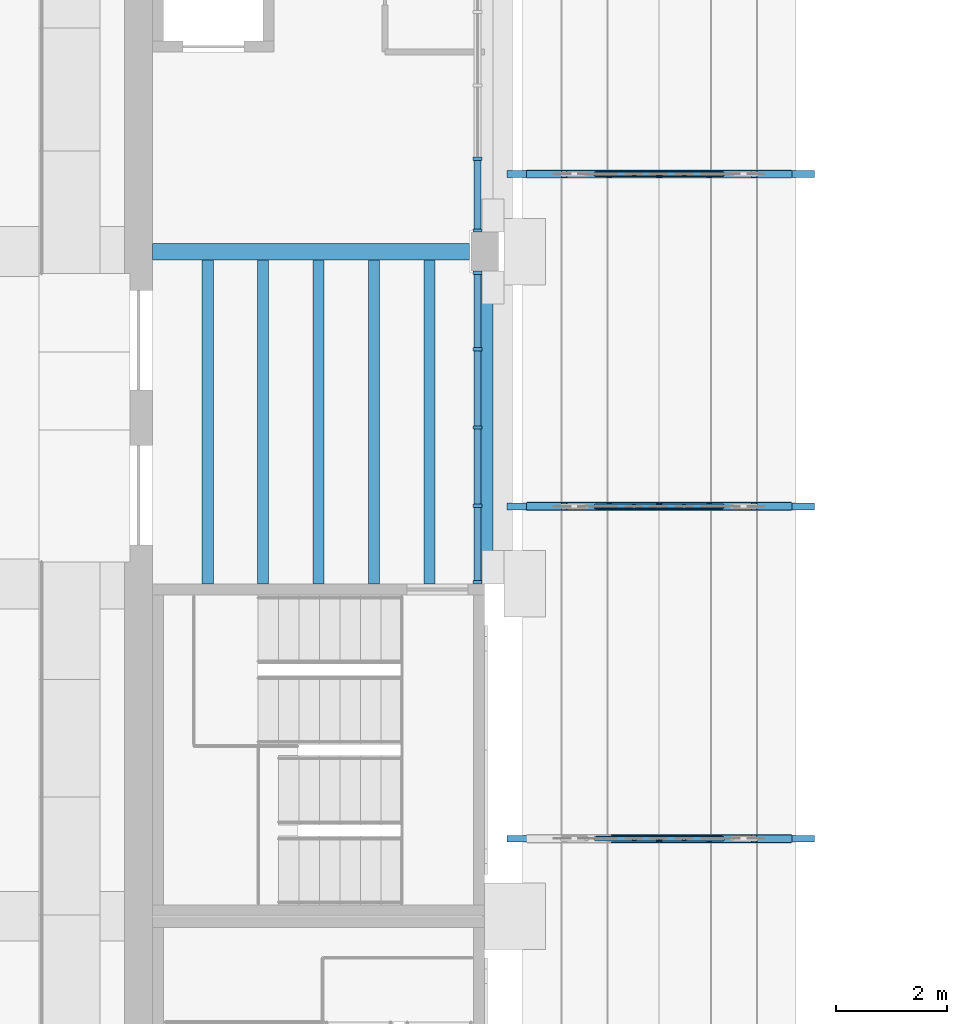
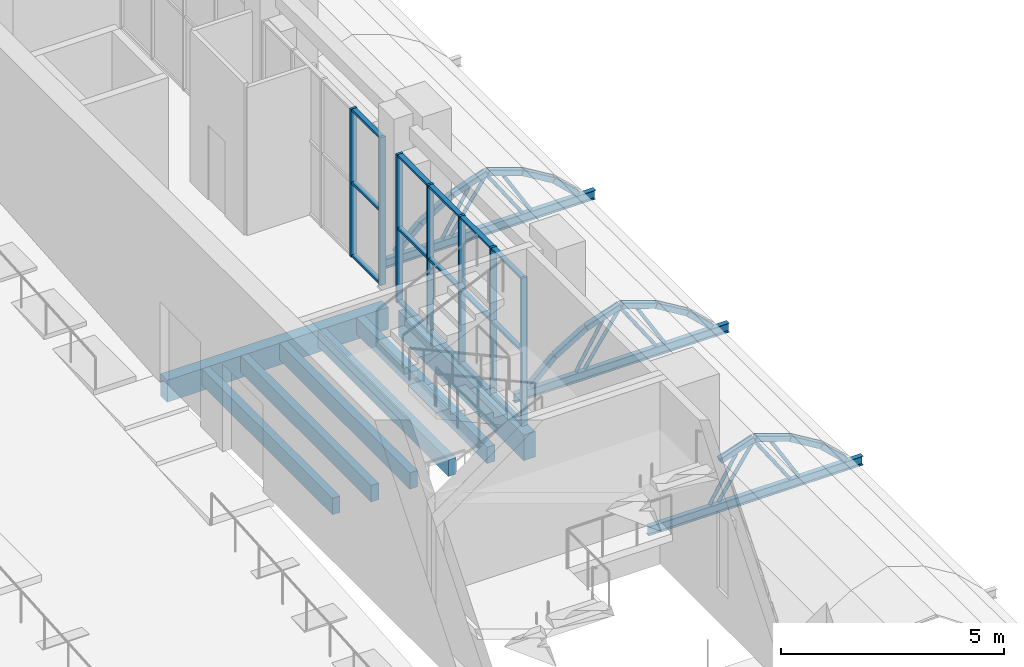
# One storey, part 21 of 80: 34 members, 26 beams, 2 elements without a shape of their own.
"""IFC4 building model written with IfcOpenShell, lengths in metres."""

from ifc_helpers import new_model, si_unit, direction, frame, origin, origin_2d, place, context, subcontext, project, spatial, rectangle, hollow_rectangle, hollow_circle, i_section, extrude, material, material_profile, profile_set, type_object, element, aggregate, save


model = new_model("IFC4")

# Units and contexts
model_context = context("Model", 3, precision=1e-05, world=origin(), true_north=direction((0.0, 1.0)))
body_context = subcontext(model_context, "Body", "Model", "MODEL_VIEW")
ifc_project = project(units=[si_unit("LENGTHUNIT", "METRE"), si_unit("AREAUNIT", "SQUARE_METRE"), si_unit("VOLUMEUNIT", "CUBIC_METRE"), si_unit("PLANEANGLEUNIT", "RADIAN"), si_unit("MASSUNIT", "GRAM", prefix="KILO")], contexts=[model_context])

# Site, building, storey
site_placement = place(None, origin())
site = spatial("IfcSite", under=ifc_project, at=site_placement, CompositionType="ELEMENT")
building_placement = place(site_placement, origin())
building = spatial("IfcBuilding", under=site, at=building_placement, Name="Saffron Lane Theatres", CompositionType="ELEMENT")
storey_placement = place(building_placement, frame((0.0, 0.0, 7.0)))
storey = spatial("IfcBuildingStorey", under=building, at=storey_placement, Name="L01", CompositionType="ELEMENT", Elevation=7.0)

# Curtain wall, members
ifc_material_1 = material(Name="Aluminium", Category="aluminium")
curtain_wall_type_1 = type_object("IfcCurtainWallType", Name="EX-CURTAIN WALL 5300x4050x160", PredefinedType="NOTDEFINED", material=ifc_material_1)
curtain_wall_1_placement = place(storey_placement, origin())
curtain_wall_1 = element("IfcCurtainWall", 1, at=curtain_wall_1_placement, inside=storey, type_object=curtain_wall_type_1, Name="Curtain wall L01 11", PredefinedType="NOTDEFINED")
ifc_material_2 = material(Name="Aluminium", Category="aluminium")
ifc_material_profile_1 = material_profile(ifc_material_2, rectangle(XDim=0.06005859375, YDim=0.159912109375, at=origin_2d()))
ifc_profile_set_1 = profile_set([ifc_material_profile_1], Name="Aluminium")
member_type_1 = type_object("IfcMemberType", Name="EX-CW MULLION 60x160", PredefinedType="MULLION", material=ifc_profile_set_1)
member_1_placement = place(storey_placement, frame((53.8701171875, 79.675048828125, 0.0), z_axis=(0.0, 0.0, 1.0), x_axis=(0.0, -1.0, 0.0)))
member_1 = element("IfcMember", 2, at=member_1_placement, type_object=member_type_1, Name="CW-01-11 mullion 4", PredefinedType="MULLION", context=body_context, shape_type="SweptSolid", body=[
    extrude(rectangle(XDim=0.06005859375, YDim=0.159912109375, at=origin_2d()), origin(), (0.0, 0.0, 1.0), 4.050048828125),
])
member_2_placement = place(storey_placement, frame((53.8701171875, 78.380126953125, 0.0), z_axis=(0.0, 0.0, 1.0), x_axis=(0.0, -1.0, 0.0)))
member_2 = element("IfcMember", 3, at=member_2_placement, type_object=member_type_1, Name="CW-01-11 mullion 5", PredefinedType="MULLION", context=body_context, shape_type="SweptSolid", body=[
    extrude(rectangle(XDim=0.06005859375, YDim=0.159912109375, at=origin_2d()), origin(), (0.0, 0.0, 1.0), 4.050048828125),
])

ifc_material_3 = material(Name="Aluminium", Category="aluminium")
curtain_wall_type_2 = type_object("IfcCurtainWallType", Name="EX-CURTAIN WALL 5650x4050x160", PredefinedType="NOTDEFINED", material=ifc_material_3)
curtain_wall_2_placement = place(storey_placement, origin())
curtain_wall_2 = element("IfcCurtainWall", 4, at=curtain_wall_2_placement, inside=storey, type_object=curtain_wall_type_2, Name="Curtain wall L01 12", PredefinedType="NOTDEFINED")
member_3_placement = place(storey_placement, frame((53.8701171875, 77.619873046875, 0.0), z_axis=(0.0, 0.0, 1.0), x_axis=(0.0, -1.0, 0.0)))
member_3 = element("IfcMember", 5, at=member_3_placement, type_object=member_type_1, Name="CW-01-12 mullion 1", PredefinedType="MULLION", context=body_context, shape_type="SweptSolid", body=[
    extrude(rectangle(XDim=0.06005859375, YDim=0.159912109375, at=origin_2d()), origin(), (0.0, 0.0, 1.0), 4.050048828125),
])
member_4_placement = place(storey_placement, frame((53.8701171875, 76.237548828125, 0.0), z_axis=(0.0, 0.0, 1.0), x_axis=(0.0, -1.0, 0.0)))
member_4 = element("IfcMember", 6, at=member_4_placement, type_object=member_type_1, Name="CW-01-12 mullion 2", PredefinedType="MULLION", context=body_context, shape_type="SweptSolid", body=[
    extrude(rectangle(XDim=0.06005859375, YDim=0.159912109375, at=origin_2d()), origin(), (0.0, 0.0, 1.0), 4.050048828125),
])
member_5_placement = place(storey_placement, frame((53.8701171875, 74.824951171875, 0.0), z_axis=(0.0, 0.0, 1.0), x_axis=(0.0, -1.0, 0.0)))
member_5 = element("IfcMember", 7, at=member_5_placement, type_object=member_type_1, Name="CW-01-12 mullion 3", PredefinedType="MULLION", context=body_context, shape_type="SweptSolid", body=[
    extrude(rectangle(XDim=0.06005859375, YDim=0.159912109375, at=origin_2d()), origin(), (0.0, 0.0, 1.0), 4.050048828125),
])
member_6_placement = place(storey_placement, frame((53.8701171875, 73.41259765625, 0.0), z_axis=(0.0, 0.0, 1.0), x_axis=(0.0, -1.0, 0.0)))
member_6 = element("IfcMember", 8, at=member_6_placement, type_object=member_type_1, Name="CW-01-12 mullion 4", PredefinedType="MULLION", context=body_context, shape_type="SweptSolid", body=[
    extrude(rectangle(XDim=0.06005859375, YDim=0.159912109375, at=origin_2d()), origin(), (0.0, 0.0, 1.0), 4.050048828125),
])
member_7_placement = place(storey_placement, frame((53.8701171875, 72.030029296875, 0.0), z_axis=(0.0, 0.0, 1.0), x_axis=(0.0, -1.0, 0.0)))
member_7 = element("IfcMember", 9, at=member_7_placement, type_object=member_type_1, Name="CW-01-12 mullion 5", PredefinedType="MULLION", context=body_context, shape_type="SweptSolid", body=[
    extrude(rectangle(XDim=0.06005859375, YDim=0.159912109375, at=origin_2d()), origin(), (0.0, 0.0, 1.0), 4.050048828125),
])

# Member
ifc_material_4 = material(Name="Aluminium", Category="aluminium")
ifc_material_profile_2 = material_profile(ifc_material_4, rectangle(XDim=0.1201171875, YDim=0.06005859375, at=origin_2d()))
ifc_profile_set_2 = profile_set([ifc_material_profile_2], Name="Aluminium")
member_type_2 = type_object("IfcMemberType", Name="EX-CW TRANSOM 120x60", PredefinedType="USERDEFINED", material=ifc_profile_set_2)
member_8_placement = place(storey_placement, frame((53.8701171875, 79.64501953125, 0.030029296875), z_axis=(0.0, -1.0, 0.0), x_axis=(1.0, 0.0, 0.0)))
member_8 = element("IfcMember", 10, at=member_8_placement, type_object=member_type_2, Name="CW-01-11 transom 4.1", ObjectType="TRANSOM", PredefinedType="USERDEFINED", context=body_context, shape_type="SweptSolid", body=[
    extrude(rectangle(XDim=0.1201171875, YDim=0.06005859375, at=origin_2d()), origin(), (0.0, 0.0, 1.0), 1.23486328125),
])

member_9_placement = place(storey_placement, frame((53.8701171875, 79.64501953125, 2.02490234375), z_axis=(0.0, -1.0, 0.0), x_axis=(1.0, 0.0, 0.0)))
member_9 = element("IfcMember", 11, at=member_9_placement, type_object=member_type_2, Name="CW-01-11 transom 4.2", ObjectType="TRANSOM", PredefinedType="USERDEFINED", context=body_context, shape_type="SweptSolid", body=[
    extrude(rectangle(XDim=0.1201171875, YDim=0.06005859375, at=origin_2d()), origin(), (0.0, 0.0, 1.0), 1.23486328125),
])

member_10_placement = place(storey_placement, frame((53.8701171875, 79.64501953125, 4.02001953125), z_axis=(0.0, -1.0, 0.0), x_axis=(1.0, 0.0, 0.0)))
member_10 = element("IfcMember", 12, at=member_10_placement, type_object=member_type_2, Name="CW-01-11 transom 4.3", ObjectType="TRANSOM", PredefinedType="USERDEFINED", context=body_context, shape_type="SweptSolid", body=[
    extrude(rectangle(XDim=0.1201171875, YDim=0.06005859375, at=origin_2d()), origin(), (0.0, 0.0, 1.0), 1.23486328125),
])

aggregate(curtain_wall_1, [member_1, member_2, member_8, member_9, member_10])

member_11_placement = place(storey_placement, frame((53.8701171875, 77.58984375, 0.030029296875), z_axis=(0.0, -1.0, 0.0), x_axis=(1.0, 0.0, 0.0)))
member_11 = element("IfcMember", 13, at=member_11_placement, type_object=member_type_2, Name="CW-01-12 transom 1.1", ObjectType="TRANSOM", PredefinedType="USERDEFINED", context=body_context, shape_type="SweptSolid", body=[
    extrude(rectangle(XDim=0.1201171875, YDim=0.06005859375, at=origin_2d()), origin(), (0.0, 0.0, 1.0), 1.322509765625),
])

member_12_placement = place(storey_placement, frame((53.8701171875, 77.58984375, 2.02490234375), z_axis=(0.0, -1.0, 0.0), x_axis=(1.0, 0.0, 0.0)))
member_12 = element("IfcMember", 14, at=member_12_placement, type_object=member_type_2, Name="CW-01-12 transom 1.2", ObjectType="TRANSOM", PredefinedType="USERDEFINED", context=body_context, shape_type="SweptSolid", body=[
    extrude(rectangle(XDim=0.1201171875, YDim=0.06005859375, at=origin_2d()), origin(), (0.0, 0.0, 1.0), 1.322509765625),
])

member_13_placement = place(storey_placement, frame((53.8701171875, 77.58984375, 4.02001953125), z_axis=(0.0, -1.0, 0.0), x_axis=(1.0, 0.0, 0.0)))
member_13 = element("IfcMember", 15, at=member_13_placement, type_object=member_type_2, Name="CW-01-12 transom 1.3", ObjectType="TRANSOM", PredefinedType="USERDEFINED", context=body_context, shape_type="SweptSolid", body=[
    extrude(rectangle(XDim=0.1201171875, YDim=0.06005859375, at=origin_2d()), origin(), (0.0, 0.0, 1.0), 1.322509765625),
])

member_14_placement = place(storey_placement, frame((53.8701171875, 76.20751953125, 0.030029296875), z_axis=(0.0, -1.0, 0.0), x_axis=(1.0, 0.0, 0.0)))
member_14 = element("IfcMember", 16, at=member_14_placement, type_object=member_type_2, Name="CW-01-12 transom 2.1", ObjectType="TRANSOM", PredefinedType="USERDEFINED", context=body_context, shape_type="SweptSolid", body=[
    extrude(rectangle(XDim=0.1201171875, YDim=0.06005859375, at=origin_2d()), origin(), (0.0, 0.0, 1.0), 1.3525390625),
])

member_15_placement = place(storey_placement, frame((53.8701171875, 76.20751953125, 2.02490234375), z_axis=(0.0, -1.0, 0.0), x_axis=(1.0, 0.0, 0.0)))
member_15 = element("IfcMember", 17, at=member_15_placement, type_object=member_type_2, Name="CW-01-12 transom 2.2", ObjectType="TRANSOM", PredefinedType="USERDEFINED", context=body_context, shape_type="SweptSolid", body=[
    extrude(rectangle(XDim=0.1201171875, YDim=0.06005859375, at=origin_2d()), origin(), (0.0, 0.0, 1.0), 1.3525390625),
])

member_16_placement = place(storey_placement, frame((53.8701171875, 76.20751953125, 4.02001953125), z_axis=(0.0, -1.0, 0.0), x_axis=(1.0, 0.0, 0.0)))
member_16 = element("IfcMember", 18, at=member_16_placement, type_object=member_type_2, Name="CW-01-12 transom 2.3", ObjectType="TRANSOM", PredefinedType="USERDEFINED", context=body_context, shape_type="SweptSolid", body=[
    extrude(rectangle(XDim=0.1201171875, YDim=0.06005859375, at=origin_2d()), origin(), (0.0, 0.0, 1.0), 1.3525390625),
])

member_17_placement = place(storey_placement, frame((53.8701171875, 74.794921875, 0.030029296875), z_axis=(0.0, -1.0, 0.0), x_axis=(1.0, 0.0, 0.0)))
member_17 = element("IfcMember", 19, at=member_17_placement, type_object=member_type_2, Name="CW-01-12 transom 3.1", ObjectType="TRANSOM", PredefinedType="USERDEFINED", context=body_context, shape_type="SweptSolid", body=[
    extrude(rectangle(XDim=0.1201171875, YDim=0.06005859375, at=origin_2d()), origin(), (0.0, 0.0, 1.0), 1.3525390625),
])

member_18_placement = place(storey_placement, frame((53.8701171875, 74.794921875, 2.02490234375), z_axis=(0.0, -1.0, 0.0), x_axis=(1.0, 0.0, 0.0)))
member_18 = element("IfcMember", 20, at=member_18_placement, type_object=member_type_2, Name="CW-01-12 transom 3.2", ObjectType="TRANSOM", PredefinedType="USERDEFINED", context=body_context, shape_type="SweptSolid", body=[
    extrude(rectangle(XDim=0.1201171875, YDim=0.06005859375, at=origin_2d()), origin(), (0.0, 0.0, 1.0), 1.3525390625),
])

member_19_placement = place(storey_placement, frame((53.8701171875, 74.794921875, 4.02001953125), z_axis=(0.0, -1.0, 0.0), x_axis=(1.0, 0.0, 0.0)))
member_19 = element("IfcMember", 21, at=member_19_placement, type_object=member_type_2, Name="CW-01-12 transom 3.3", ObjectType="TRANSOM", PredefinedType="USERDEFINED", context=body_context, shape_type="SweptSolid", body=[
    extrude(rectangle(XDim=0.1201171875, YDim=0.06005859375, at=origin_2d()), origin(), (0.0, 0.0, 1.0), 1.3525390625),
])

member_20_placement = place(storey_placement, frame((53.8701171875, 73.382568359375, 0.030029296875), z_axis=(0.0, -1.0, 0.0), x_axis=(1.0, 0.0, 0.0)))
member_20 = element("IfcMember", 22, at=member_20_placement, type_object=member_type_2, Name="CW-01-12 transom 4.1", ObjectType="TRANSOM", PredefinedType="USERDEFINED", context=body_context, shape_type="SweptSolid", body=[
    extrude(rectangle(XDim=0.1201171875, YDim=0.06005859375, at=origin_2d()), origin(), (0.0, 0.0, 1.0), 1.322509765625),
])

member_21_placement = place(storey_placement, frame((53.8701171875, 73.382568359375, 2.02490234375), z_axis=(0.0, -1.0, 0.0), x_axis=(1.0, 0.0, 0.0)))
member_21 = element("IfcMember", 23, at=member_21_placement, type_object=member_type_2, Name="CW-01-12 transom 4.2", ObjectType="TRANSOM", PredefinedType="USERDEFINED", context=body_context, shape_type="SweptSolid", body=[
    extrude(rectangle(XDim=0.1201171875, YDim=0.06005859375, at=origin_2d()), origin(), (0.0, 0.0, 1.0), 1.322509765625),
])

member_22_placement = place(storey_placement, frame((53.8701171875, 73.382568359375, 4.02001953125), z_axis=(0.0, -1.0, 0.0), x_axis=(1.0, 0.0, 0.0)))
member_22 = element("IfcMember", 24, at=member_22_placement, type_object=member_type_2, Name="CW-01-12 transom 4.3", ObjectType="TRANSOM", PredefinedType="USERDEFINED", context=body_context, shape_type="SweptSolid", body=[
    extrude(rectangle(XDim=0.1201171875, YDim=0.06005859375, at=origin_2d()), origin(), (0.0, 0.0, 1.0), 1.322509765625),
])

aggregate(curtain_wall_2, [member_3, member_4, member_5, member_6, member_7, member_11, member_12, member_13, member_14, member_15, member_16, member_17, member_18, member_19, member_20, member_21, member_22])

# Beams
ifc_material_5 = material(Name="Concrete N40 (40 MPa)", Category="concrete")
ifc_material_profile_3 = material_profile(ifc_material_5, rectangle(XDim=0.300048828125, YDim=0.60009765625, at=origin_2d()))
ifc_profile_set_3 = profile_set([ifc_material_profile_3], Name="Concrete N40 (40 MPa)")
beam_type_1 = type_object("IfcBeamType", Name="RC-BEAM 300x600", PredefinedType="BEAM", material=ifc_profile_set_3)
beam_1_placement = place(storey_placement, frame((48.0, 78.0, -0.550048828125), z_axis=(1.0, 0.0, 0.0), x_axis=(0.0, 1.0, 0.0)))
element("IfcBeam", 25, at=beam_1_placement, inside=storey, type_object=beam_type_1, Name="beam-L01-x780-480", PredefinedType="BEAM", context=body_context, shape_type="SweptSolid", body=[
    extrude(rectangle(XDim=0.300048828125, YDim=0.60009765625, at=origin_2d()), origin(), (0.0, 0.0, 1.0), 5.72509765625),
])
ifc_material_6 = material(Name="Concrete N40 (40 MPa)", Category="concrete")
ifc_material_profile_4 = material_profile(ifc_material_6, rectangle(XDim=0.300048828125, YDim=0.699951171875, at=origin_2d()))
ifc_profile_set_4 = profile_set([ifc_material_profile_4], Name="Concrete N40 (40 MPa)")
beam_type_2 = type_object("IfcBeamType", Name="RC-BEAM 300x700", PredefinedType="BEAM", material=ifc_profile_set_4)
beam_2_placement = place(storey_placement, frame((54.0, 72.0, -0.60009765625), z_axis=(0.0, 1.0, 0.0), x_axis=(-1.0, 0.0, 0.0)))
element("IfcBeam", 26, at=beam_2_placement, inside=storey, type_object=beam_type_2, Name="beam-L01-y540-720", PredefinedType="BEAM", context=body_context, shape_type="SweptSolid", body=[
    extrude(rectangle(XDim=0.300048828125, YDim=0.699951171875, at=origin_2d()), origin(), (0.0, 0.0, 1.0), 5.625),
])
ifc_material_7 = material(Name="Concrete N40 (40 MPa)", Category="concrete")
ifc_material_profile_5 = material_profile(ifc_material_7, rectangle(XDim=0.199951171875, YDim=0.449951171875, at=origin_2d()))
ifc_profile_set_5 = profile_set([ifc_material_profile_5], Name="Concrete N40 (40 MPa)")
beam_type_3 = type_object("IfcBeamType", Name="RC-JOIST 200x450", PredefinedType="JOIST", material=ifc_profile_set_5)
for number, where, z_axis, x_axis, name in (
    (27, (49.0, 72.0, -0.47509765625), (0.0, 1.0, 0.0), (-1.0, 0.0, 0.0), "joist-L01-y4900-720"),
    (28, (50.0, 72.0, -0.47509765625), (0.0, 1.0, 0.0), (-1.0, 0.0, 0.0), "joist-L01-y5000-720"),
    (29, (51.0, 72.0, -0.47509765625), (0.0, 1.0, 0.0), (-1.0, 0.0, 0.0), "joist-L01-y5100-720"),
    (30, (52.0, 72.0, -0.47509765625), (0.0, 1.0, 0.0), (-1.0, 0.0, 0.0), "joist-L01-y5200-720"),
    (31, (53.0, 72.0, -0.47509765625), (0.0, 1.0, 0.0), (-1.0, 0.0, 0.0), "joist-L01-y5300-720"),
):
    element("IfcBeam", number, at=place(storey_placement, frame(where, z_axis=z_axis, x_axis=x_axis)), inside=storey, type_object=beam_type_3, Name=name, PredefinedType="JOIST", context=body_context, shape_type="SweptSolid", body=[
        extrude(rectangle(XDim=0.199951171875, YDim=0.449951171875, at=origin_2d()), origin(), (0.0, 0.0, 1.0), 5.85009765625),
    ])
ifc_material_8 = material(Name="Steel Grade 350", Category="steel")
ifc_material_profile_6 = material_profile(ifc_material_8, i_section(OverallWidth=0.1240234375, OverallDepth=0.248046875, WebThickness=0.0048828125, FlangeThickness=0.008056640625, FilletRadius=0.011962890625, at=origin_2d()))
ifc_profile_set_6 = profile_set([ifc_material_profile_6], Name="Steel Grade 350")
beam_type_4 = type_object("IfcBeamType", Name="ST-CANOPY BEAM 250UB25.7", PredefinedType="BEAM", material=ifc_profile_set_6)
for number, where, z_axis, x_axis, name in (
    (32, (54.39990234375, 67.39990234375, -0.25390625), (1.0, 0.0, 0.0), (0.0, 1.0, 0.0), "CB7"),
    (33, (54.39990234375, 73.39990234375, -0.25390625), (1.0, 0.0, 0.0), (0.0, 1.0, 0.0), "CB8"),
    (34, (54.39990234375, 79.39990234375, -0.25390625), (1.0, 0.0, 0.0), (0.0, 1.0, 0.0), "CB9"),
):
    element("IfcBeam", number, at=place(storey_placement, frame(where, z_axis=z_axis, x_axis=x_axis)), inside=storey, type_object=beam_type_4, Name=name, PredefinedType="BEAM", context=body_context, shape_type="SweptSolid", body=[
        extrude(i_section(OverallWidth=0.1240234375, OverallDepth=0.248046875, WebThickness=0.0048828125, FlangeThickness=0.008056640625, FilletRadius=0.011962890625, at=origin_2d()), origin(), (0.0, 0.0, 1.0), 5.550048828125),
    ])
ifc_material_9 = material(Name="Steel Grade 350", Category="steel")
ifc_material_profile_7 = material_profile(ifc_material_9, hollow_rectangle(XDim=0.14990234375, YDim=0.14990234375, WallThickness=0.009033203125, InnerFilletRadius=0.00439453125, OuterFilletRadius=0.013427734375, at=origin_2d()))
ifc_profile_set_7 = profile_set([ifc_material_profile_7], Name="Steel Grade 350")
beam_type_5 = type_object("IfcBeamType", Name="ST-PORTAL RIB 150x150x9 SHS", PredefinedType="USERDEFINED", material=ifc_profile_set_7)
beam_3_placement = place(storey_placement, frame((56.26025390625, 67.39990234375, 1.013916015625), z_axis=(0.945625061325, 0.0, 0.325258733001), x_axis=(0.0, 1.0, 0.0)))
element("IfcBeam", 35, at=beam_3_placement, inside=storey, type_object=beam_type_5, Name="PR7C", ObjectType="PORTAL RIB", PredefinedType="USERDEFINED", context=body_context, shape_type="SweptSolid", body=[
    extrude(hollow_rectangle(XDim=0.14990234375, YDim=0.14990234375, WallThickness=0.009033203125, InnerFilletRadius=0.00439453125, OuterFilletRadius=0.013427734375, at=origin_2d()), origin(), (0.0, 0.0, 1.0), 0.9150390625),
])
beam_4_placement = place(storey_placement, frame((57.17431640625, 67.39990234375, 1.3115234375), z_axis=(0.945653278846, 0.0, -0.325176684602), x_axis=(0.0, 1.0, 0.0)))
element("IfcBeam", 36, at=beam_4_placement, inside=storey, type_object=beam_type_5, Name="PR7D", ObjectType="PORTAL RIB", PredefinedType="USERDEFINED", context=body_context, shape_type="SweptSolid", body=[
    extrude(hollow_rectangle(XDim=0.14990234375, YDim=0.14990234375, WallThickness=0.009033203125, InnerFilletRadius=0.00439453125, OuterFilletRadius=0.013427734375, at=origin_2d()), origin(), (0.0, 0.0, 1.0), 0.915283203125),
])
beam_5_placement = place(storey_placement, frame((58.05419921875, 67.39990234375, 1.00732421875), z_axis=(0.85587209681, 0.0, -0.517187542292), x_axis=(0.0, 1.0, 0.0)))
element("IfcBeam", 37, at=beam_5_placement, inside=storey, type_object=beam_type_5, Name="PR7E", ObjectType="PORTAL RIB", PredefinedType="USERDEFINED", context=body_context, shape_type="SweptSolid", body=[
    extrude(hollow_rectangle(XDim=0.14990234375, YDim=0.14990234375, WallThickness=0.009033203125, InnerFilletRadius=0.00439453125, OuterFilletRadius=0.013427734375, at=origin_2d()), origin(), (0.0, 0.0, 1.0), 0.932861328125),
])
for number, where, z_axis, x_axis, name in (
    (38, (58.865234375, 67.39990234375, 0.51513671875), (0.727908671932, 0.0, -0.685674095563), (0.0, 1.0, 0.0), "PR7F"),
    (39, (54.807861328125, 73.39990234375, -0.075439453125), (0.727908671932, 0.0, 0.685674095563), (0.0, 1.0, 0.0), "PR8A"),
):
    element("IfcBeam", number, at=place(storey_placement, frame(where, z_axis=z_axis, x_axis=x_axis)), inside=storey, type_object=beam_type_5, Name=name, ObjectType="PORTAL RIB", PredefinedType="USERDEFINED", context=body_context, shape_type="SweptSolid", body=[
        extrude(hollow_rectangle(XDim=0.14990234375, YDim=0.14990234375, WallThickness=0.009033203125, InnerFilletRadius=0.00439453125, OuterFilletRadius=0.013427734375, at=origin_2d()), origin(), (0.0, 0.0, 1.0), 0.861328125),
    ])
beam_6_placement = place(storey_placement, frame((55.447509765625, 73.39990234375, 0.52490234375), z_axis=(0.85587209681, 0.0, 0.517187542292), x_axis=(0.0, 1.0, 0.0)))
element("IfcBeam", 40, at=beam_6_placement, inside=storey, type_object=beam_type_5, Name="PR8B", ObjectType="PORTAL RIB", PredefinedType="USERDEFINED", context=body_context, shape_type="SweptSolid", body=[
    extrude(hollow_rectangle(XDim=0.14990234375, YDim=0.14990234375, WallThickness=0.009033203125, InnerFilletRadius=0.00439453125, OuterFilletRadius=0.013427734375, at=origin_2d()), origin(), (0.0, 0.0, 1.0), 0.932861328125),
])
beam_7_placement = place(storey_placement, frame((56.26025390625, 73.39990234375, 1.013916015625), z_axis=(0.945625061325, 0.0, 0.325258733001), x_axis=(0.0, 1.0, 0.0)))
element("IfcBeam", 41, at=beam_7_placement, inside=storey, type_object=beam_type_5, Name="PR8C", ObjectType="PORTAL RIB", PredefinedType="USERDEFINED", context=body_context, shape_type="SweptSolid", body=[
    extrude(hollow_rectangle(XDim=0.14990234375, YDim=0.14990234375, WallThickness=0.009033203125, InnerFilletRadius=0.00439453125, OuterFilletRadius=0.013427734375, at=origin_2d()), origin(), (0.0, 0.0, 1.0), 0.9150390625),
])
beam_8_placement = place(storey_placement, frame((57.17431640625, 73.39990234375, 1.3115234375), z_axis=(0.945653278846, 0.0, -0.325176684602), x_axis=(0.0, 1.0, 0.0)))
element("IfcBeam", 42, at=beam_8_placement, inside=storey, type_object=beam_type_5, Name="PR8D", ObjectType="PORTAL RIB", PredefinedType="USERDEFINED", context=body_context, shape_type="SweptSolid", body=[
    extrude(hollow_rectangle(XDim=0.14990234375, YDim=0.14990234375, WallThickness=0.009033203125, InnerFilletRadius=0.00439453125, OuterFilletRadius=0.013427734375, at=origin_2d()), origin(), (0.0, 0.0, 1.0), 0.915283203125),
])
beam_9_placement = place(storey_placement, frame((58.05419921875, 73.39990234375, 1.00732421875), z_axis=(0.85587209681, 0.0, -0.517187542292), x_axis=(0.0, 1.0, 0.0)))
element("IfcBeam", 43, at=beam_9_placement, inside=storey, type_object=beam_type_5, Name="PR8E", ObjectType="PORTAL RIB", PredefinedType="USERDEFINED", context=body_context, shape_type="SweptSolid", body=[
    extrude(hollow_rectangle(XDim=0.14990234375, YDim=0.14990234375, WallThickness=0.009033203125, InnerFilletRadius=0.00439453125, OuterFilletRadius=0.013427734375, at=origin_2d()), origin(), (0.0, 0.0, 1.0), 0.932861328125),
])
for number, where, z_axis, x_axis, name in (
    (44, (58.865234375, 73.39990234375, 0.51513671875), (0.727908671932, 0.0, -0.685674095563), (0.0, 1.0, 0.0), "PR8F"),
    (45, (54.807861328125, 79.39990234375, -0.075439453125), (0.727908671932, 0.0, 0.685674095563), (0.0, 1.0, 0.0), "PR9A"),
):
    element("IfcBeam", number, at=place(storey_placement, frame(where, z_axis=z_axis, x_axis=x_axis)), inside=storey, type_object=beam_type_5, Name=name, ObjectType="PORTAL RIB", PredefinedType="USERDEFINED", context=body_context, shape_type="SweptSolid", body=[
        extrude(hollow_rectangle(XDim=0.14990234375, YDim=0.14990234375, WallThickness=0.009033203125, InnerFilletRadius=0.00439453125, OuterFilletRadius=0.013427734375, at=origin_2d()), origin(), (0.0, 0.0, 1.0), 0.861328125),
    ])
beam_10_placement = place(storey_placement, frame((55.447509765625, 79.39990234375, 0.52490234375), z_axis=(0.85587209681, 0.0, 0.517187542292), x_axis=(0.0, 1.0, 0.0)))
element("IfcBeam", 46, at=beam_10_placement, inside=storey, type_object=beam_type_5, Name="PR9B", ObjectType="PORTAL RIB", PredefinedType="USERDEFINED", context=body_context, shape_type="SweptSolid", body=[
    extrude(hollow_rectangle(XDim=0.14990234375, YDim=0.14990234375, WallThickness=0.009033203125, InnerFilletRadius=0.00439453125, OuterFilletRadius=0.013427734375, at=origin_2d()), origin(), (0.0, 0.0, 1.0), 0.932861328125),
])
beam_11_placement = place(storey_placement, frame((56.26025390625, 79.39990234375, 1.013916015625), z_axis=(0.945625061325, 0.0, 0.325258733001), x_axis=(0.0, 1.0, 0.0)))
element("IfcBeam", 47, at=beam_11_placement, inside=storey, type_object=beam_type_5, Name="PR9C", ObjectType="PORTAL RIB", PredefinedType="USERDEFINED", context=body_context, shape_type="SweptSolid", body=[
    extrude(hollow_rectangle(XDim=0.14990234375, YDim=0.14990234375, WallThickness=0.009033203125, InnerFilletRadius=0.00439453125, OuterFilletRadius=0.013427734375, at=origin_2d()), origin(), (0.0, 0.0, 1.0), 0.9150390625),
])
beam_12_placement = place(storey_placement, frame((57.17431640625, 79.39990234375, 1.3115234375), z_axis=(0.945653278846, 0.0, -0.325176684602), x_axis=(0.0, 1.0, 0.0)))
element("IfcBeam", 48, at=beam_12_placement, inside=storey, type_object=beam_type_5, Name="PR9D", ObjectType="PORTAL RIB", PredefinedType="USERDEFINED", context=body_context, shape_type="SweptSolid", body=[
    extrude(hollow_rectangle(XDim=0.14990234375, YDim=0.14990234375, WallThickness=0.009033203125, InnerFilletRadius=0.00439453125, OuterFilletRadius=0.013427734375, at=origin_2d()), origin(), (0.0, 0.0, 1.0), 0.915283203125),
])
beam_13_placement = place(storey_placement, frame((58.05419921875, 79.39990234375, 1.00732421875), z_axis=(0.85587209681, 0.0, -0.517187542292), x_axis=(0.0, 1.0, 0.0)))
element("IfcBeam", 49, at=beam_13_placement, inside=storey, type_object=beam_type_5, Name="PR9E", ObjectType="PORTAL RIB", PredefinedType="USERDEFINED", context=body_context, shape_type="SweptSolid", body=[
    extrude(hollow_rectangle(XDim=0.14990234375, YDim=0.14990234375, WallThickness=0.009033203125, InnerFilletRadius=0.00439453125, OuterFilletRadius=0.013427734375, at=origin_2d()), origin(), (0.0, 0.0, 1.0), 0.932861328125),
])
beam_14_placement = place(storey_placement, frame((58.865234375, 79.39990234375, 0.51513671875), z_axis=(0.727908671932, 0.0, -0.685674095563), x_axis=(0.0, 1.0, 0.0)))
element("IfcBeam", 50, at=beam_14_placement, inside=storey, type_object=beam_type_5, Name="PR9F", ObjectType="PORTAL RIB", PredefinedType="USERDEFINED", context=body_context, shape_type="SweptSolid", body=[
    extrude(hollow_rectangle(XDim=0.14990234375, YDim=0.14990234375, WallThickness=0.009033203125, InnerFilletRadius=0.00439453125, OuterFilletRadius=0.013427734375, at=origin_2d()), origin(), (0.0, 0.0, 1.0), 0.861328125),
])

# Members
ifc_material_10 = material(Name="Steel Grade 350", Category="steel")
ifc_material_profile_8 = material_profile(ifc_material_10, hollow_circle(Radius=0.04443359375, WallThickness=0.005859375, at=origin_2d()))
ifc_profile_set_8 = profile_set([ifc_material_profile_8], Name="Steel Grade 350")
member_type_3 = type_object("IfcMemberType", Name="ST-VAULT BRACE 88.9x5.9 CHS", PredefinedType="BRACE", material=ifc_profile_set_8)
member_23_placement = place(storey_placement, frame((56.009033203125, 67.39990234375, -0.107177734375), z_axis=(0.512121126852, 0.0, 0.858913238594), x_axis=(0.0, 1.0, 0.0)))
element("IfcMember", 51, at=member_23_placement, inside=storey, type_object=member_type_3, Name="PS7-2", PredefinedType="BRACE", context=body_context, shape_type="SweptSolid", body=[
    extrude(hollow_circle(Radius=0.04443359375, WallThickness=0.005859375, at=origin_2d()), origin(), (0.0, 0.0, 1.0), 1.3466796875),
])
member_24_placement = place(storey_placement, frame((58.291015625, 67.39990234375, -0.107177734375), z_axis=(-0.512254845616, 0.0, 0.858833495587), x_axis=(0.0, -1.0, 0.0)))
element("IfcMember", 52, at=member_24_placement, inside=storey, type_object=member_type_3, Name="PS7-3", PredefinedType="BRACE", context=body_context, shape_type="SweptSolid", body=[
    extrude(hollow_circle(Radius=0.04443359375, WallThickness=0.005859375, at=origin_2d()), origin(), (0.0, 0.0, 1.0), 1.346923828125),
])
member_25_placement = place(storey_placement, frame((56.009033203125, 73.39990234375, -0.107177734375), z_axis=(0.512121126852, 0.0, 0.858913238594), x_axis=(0.0, 1.0, 0.0)))
element("IfcMember", 53, at=member_25_placement, inside=storey, type_object=member_type_3, Name="PS8-2", PredefinedType="BRACE", context=body_context, shape_type="SweptSolid", body=[
    extrude(hollow_circle(Radius=0.04443359375, WallThickness=0.005859375, at=origin_2d()), origin(), (0.0, 0.0, 1.0), 1.3466796875),
])
member_26_placement = place(storey_placement, frame((58.291015625, 73.39990234375, -0.107177734375), z_axis=(-0.512254845616, 0.0, 0.858833495587), x_axis=(0.0, -1.0, 0.0)))
element("IfcMember", 54, at=member_26_placement, inside=storey, type_object=member_type_3, Name="PS8-3", PredefinedType="BRACE", context=body_context, shape_type="SweptSolid", body=[
    extrude(hollow_circle(Radius=0.04443359375, WallThickness=0.005859375, at=origin_2d()), origin(), (0.0, 0.0, 1.0), 1.346923828125),
])
member_27_placement = place(storey_placement, frame((56.009033203125, 79.39990234375, -0.107177734375), z_axis=(0.512121126852, 0.0, 0.858913238594), x_axis=(0.0, 1.0, 0.0)))
element("IfcMember", 55, at=member_27_placement, inside=storey, type_object=member_type_3, Name="PS9-2", PredefinedType="BRACE", context=body_context, shape_type="SweptSolid", body=[
    extrude(hollow_circle(Radius=0.04443359375, WallThickness=0.005859375, at=origin_2d()), origin(), (0.0, 0.0, 1.0), 1.3466796875),
])
member_28_placement = place(storey_placement, frame((58.291015625, 79.39990234375, -0.107177734375), z_axis=(-0.512254845616, 0.0, 0.858833495587), x_axis=(0.0, -1.0, 0.0)))
element("IfcMember", 56, at=member_28_placement, inside=storey, type_object=member_type_3, Name="PS9-3", PredefinedType="BRACE", context=body_context, shape_type="SweptSolid", body=[
    extrude(hollow_circle(Radius=0.04443359375, WallThickness=0.005859375, at=origin_2d()), origin(), (0.0, 0.0, 1.0), 1.346923828125),
])
member_29_placement = place(storey_placement, frame((56.234619140625, 67.39990234375, -0.10498046875), z_axis=(0.561229138004, 0.0, 0.827660470637), x_axis=(0.0, 1.0, 0.0)))
element("IfcMember", 57, at=member_29_placement, inside=storey, type_object=member_type_3, Name="PA7-1", PredefinedType="BRACE", context=body_context, shape_type="SweptSolid", body=[
    extrude(hollow_circle(Radius=0.04443359375, WallThickness=0.005859375, at=origin_2d()), origin(), (0.0, 0.0, 1.0), 1.600830078125),
])
member_30_placement = place(storey_placement, frame((58.065185546875, 67.39990234375, -0.10498046875), z_axis=(-0.561124653333, 0.0, 0.827731311128), x_axis=(0.0, -1.0, 0.0)))
element("IfcMember", 58, at=member_30_placement, inside=storey, type_object=member_type_3, Name="PA7-2", PredefinedType="BRACE", context=body_context, shape_type="SweptSolid", body=[
    extrude(hollow_circle(Radius=0.04443359375, WallThickness=0.005859375, at=origin_2d()), origin(), (0.0, 0.0, 1.0), 1.6005859375),
])
member_31_placement = place(storey_placement, frame((56.234619140625, 73.39990234375, -0.10498046875), z_axis=(0.561229138004, 0.0, 0.827660470637), x_axis=(0.0, 1.0, 0.0)))
element("IfcMember", 59, at=member_31_placement, inside=storey, type_object=member_type_3, Name="PA8-1", PredefinedType="BRACE", context=body_context, shape_type="SweptSolid", body=[
    extrude(hollow_circle(Radius=0.04443359375, WallThickness=0.005859375, at=origin_2d()), origin(), (0.0, 0.0, 1.0), 1.600830078125),
])
member_32_placement = place(storey_placement, frame((58.065185546875, 73.39990234375, -0.10498046875), z_axis=(-0.561124653333, 0.0, 0.827731311128), x_axis=(0.0, -1.0, 0.0)))
element("IfcMember", 60, at=member_32_placement, inside=storey, type_object=member_type_3, Name="PA8-2", PredefinedType="BRACE", context=body_context, shape_type="SweptSolid", body=[
    extrude(hollow_circle(Radius=0.04443359375, WallThickness=0.005859375, at=origin_2d()), origin(), (0.0, 0.0, 1.0), 1.6005859375),
])
member_33_placement = place(storey_placement, frame((56.234619140625, 79.39990234375, -0.10498046875), z_axis=(0.561229138004, 0.0, 0.827660470637), x_axis=(0.0, 1.0, 0.0)))
element("IfcMember", 61, at=member_33_placement, inside=storey, type_object=member_type_3, Name="PA9-1", PredefinedType="BRACE", context=body_context, shape_type="SweptSolid", body=[
    extrude(hollow_circle(Radius=0.04443359375, WallThickness=0.005859375, at=origin_2d()), origin(), (0.0, 0.0, 1.0), 1.600830078125),
])
member_34_placement = place(storey_placement, frame((58.065185546875, 79.39990234375, -0.10498046875), z_axis=(-0.561124653333, 0.0, 0.827731311128), x_axis=(0.0, -1.0, 0.0)))
element("IfcMember", 62, at=member_34_placement, inside=storey, type_object=member_type_3, Name="PA9-2", PredefinedType="BRACE", context=body_context, shape_type="SweptSolid", body=[
    extrude(hollow_circle(Radius=0.04443359375, WallThickness=0.005859375, at=origin_2d()), origin(), (0.0, 0.0, 1.0), 1.6005859375),
])

save(model, "model.ifc")
